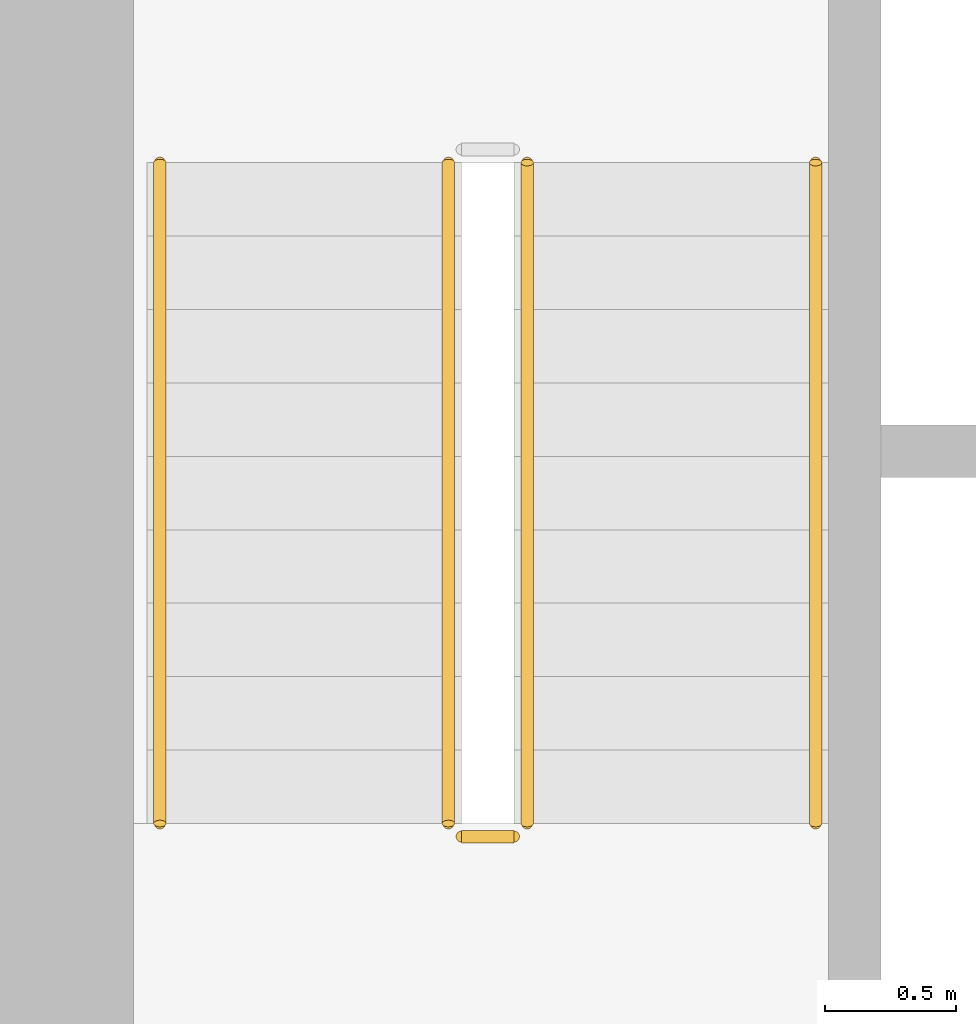
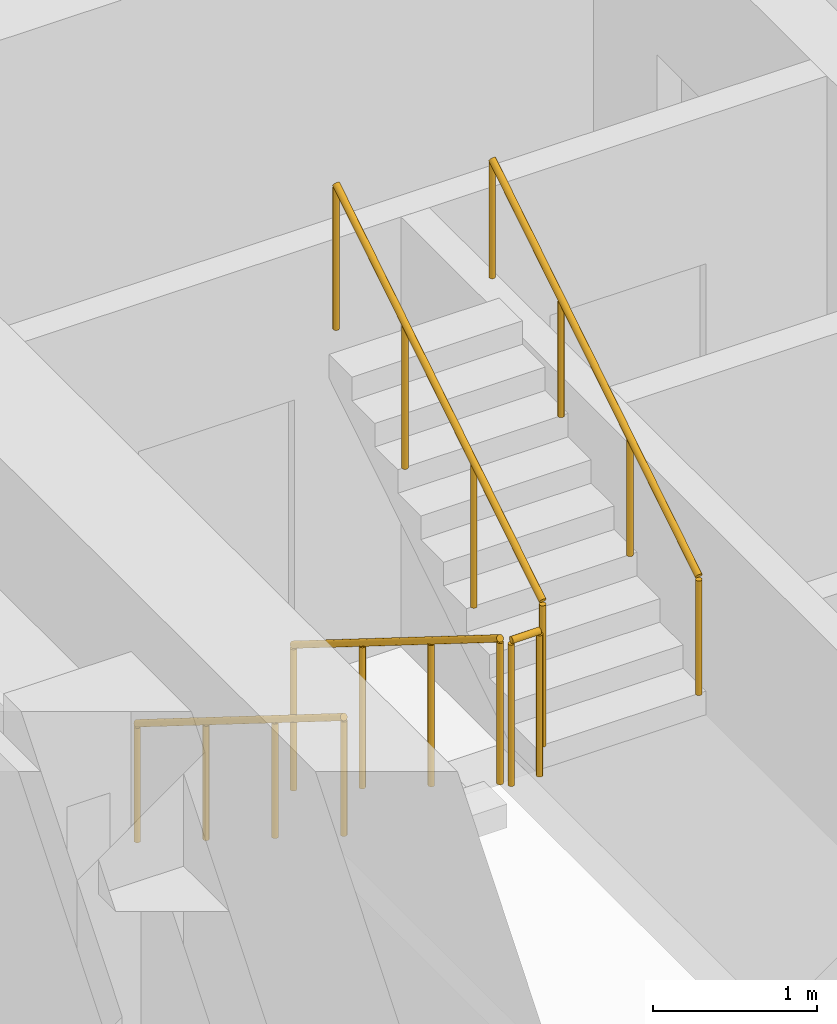
# One storey, part 14 of 21: 5 railings.
"""IFC4 building model written with IfcOpenShell, lengths in metres."""

from ifc_helpers import new_model, si_unit, direction, frame, origin, origin_2d, place, context, subcontext, project, spatial, circle, extrude, material, type_object, element, save


model = new_model("IFC4")

# Units and contexts
model_context = context("Model", 3, precision=1e-05, world=origin(), true_north=direction((0.0, 1.0)))
body_context = subcontext(model_context, "Body", "Model", "MODEL_VIEW")
ifc_project = project(units=[si_unit("LENGTHUNIT", "METRE"), si_unit("AREAUNIT", "SQUARE_METRE"), si_unit("VOLUMEUNIT", "CUBIC_METRE"), si_unit("PLANEANGLEUNIT", "RADIAN"), si_unit("MASSUNIT", "GRAM", prefix="KILO")], contexts=[model_context])

# Site, building, storey
site_placement = place(None, origin())
site = spatial("IfcSite", under=ifc_project, at=site_placement, CompositionType="ELEMENT")
building_placement = place(site_placement, origin())
building = spatial("IfcBuilding", under=site, at=building_placement, Name="Kiln Ring Residences", CompositionType="ELEMENT")
storey_placement = place(building_placement, frame((0.0, 0.0, 195.89990234375)))
storey = spatial("IfcBuildingStorey", under=building, at=storey_placement, Name="L50", CompositionType="ELEMENT", Elevation=195.89990234375)

# Railings
ifc_material_1 = material(Name="Stainless steel", Category="steel")
railing_type_1 = type_object("IfcRailingType", Name="CORE-STAIR-GUARD", PredefinedType="GUARDRAIL", material=ifc_material_1)
railing_1_placement = place(storey_placement, frame((-22.25, 8.39990234375, 0.175048828125)))
element("IfcRailing", 1, at=railing_1_placement, inside=storey, type_object=railing_type_1, Name="L50 W-STN stair guard 1", PredefinedType="GUARDRAIL", context=body_context, shape_type="SweptSolid", body=[
    extrude(circle(Radius=0.02392578125, at=origin_2d()), frame((0.0, 0.0, 1.076171875), z_axis=(0.0, -0.848007534815, 0.529984170421), x_axis=(1.0, 0.0, 0.0)), (0.0, 0.0, 1.0), 2.9716796875),
    extrude(circle(Radius=0.02099609375, at=origin_2d()), origin(), (0.0, 0.0, 1.0), 1.052001953125),
    extrude(circle(Radius=0.02099609375, at=origin_2d()), frame((0.0, -0.840087890625, 0.52490234375)), (0.0, 0.0, 1.0), 1.052001953125),
    extrude(circle(Radius=0.02099609375, at=origin_2d()), frame((0.0, -1.679931640625, 1.050048828125)), (0.0, 0.0, 1.0), 1.052001953125),
    extrude(circle(Radius=0.02099609375, at=origin_2d()), frame((0.0, -2.52001953125, 1.574951171875)), (0.0, 0.0, 1.0), 1.052001953125),
])
railing_2_placement = place(storey_placement, frame((-22.199951171875, 5.830078125, 1.75)))
element("IfcRailing", 2, at=railing_2_placement, inside=storey, type_object=railing_type_1, Name="L50 W-STN stair guard 2", PredefinedType="GUARDRAIL", context=body_context, shape_type="SweptSolid", body=[
    extrude(circle(Radius=0.02392578125, at=origin_2d()), frame((0.0, 0.0, 1.076171875), z_axis=(1.0, 0.0, 0.0), x_axis=(0.0, 1.0, 0.0)), (0.0, 0.0, 1.0), 0.199951171875),
    extrude(circle(Radius=0.02099609375, at=origin_2d()), origin(), (0.0, 0.0, 1.0), 1.052001953125),
    extrude(circle(Radius=0.02099609375, at=origin_2d()), frame((0.199951171875, 0.0, 0.0)), (0.0, 0.0, 1.0), 1.052001953125),
])
railing_3_placement = place(storey_placement, frame((-21.949951171875, 5.8798828125, 1.925048828125)))
element("IfcRailing", 3, at=railing_3_placement, inside=storey, type_object=railing_type_1, Name="L50 W-STN stair guard 3", PredefinedType="GUARDRAIL", context=body_context, shape_type="SweptSolid", body=[
    extrude(circle(Radius=0.02392578125, at=origin_2d()), frame((0.0, 0.0, 1.076171875), z_axis=(0.0, 0.848007534815, 0.529984170421), x_axis=(-1.0, 0.0, 0.0)), (0.0, 0.0, 1.0), 2.9716796875),
    extrude(circle(Radius=0.02099609375, at=origin_2d()), origin(), (0.0, 0.0, 1.0), 1.052001953125),
    extrude(circle(Radius=0.02099609375, at=origin_2d()), frame((0.0, 0.840087890625, 0.52490234375)), (0.0, 0.0, 1.0), 1.052001953125),
    extrude(circle(Radius=0.02099609375, at=origin_2d()), frame((0.0, 1.679931640625, 1.050048828125)), (0.0, 0.0, 1.0), 1.052001953125),
    extrude(circle(Radius=0.02099609375, at=origin_2d()), frame((0.0, 2.52001953125, 1.574951171875)), (0.0, 0.0, 1.0), 1.052001953125),
])
ifc_material_2 = material(Name="Stainless steel", Category="steel")
railing_type_2 = type_object("IfcRailingType", Name="CORE-STAIR-HANDRAIL", PredefinedType="HANDRAIL", material=ifc_material_2)
railing_4_placement = place(storey_placement, frame((-23.35009765625, 8.39990234375, 0.175048828125)))
element("IfcRailing", 4, at=railing_4_placement, inside=storey, type_object=railing_type_2, Name="L50 W-STN stair handrail 1", PredefinedType="HANDRAIL", context=body_context, shape_type="SweptSolid", body=[
    extrude(circle(Radius=0.02392578125, at=origin_2d()), frame((0.0, 0.0, 0.8759765625), z_axis=(0.0, -0.848007534815, 0.529984170421), x_axis=(1.0, 0.0, 0.0)), (0.0, 0.0, 1.0), 2.9716796875),
    extrude(circle(Radius=0.02099609375, at=origin_2d()), origin(), (0.0, 0.0, 1.0), 0.851806640625),
    extrude(circle(Radius=0.02099609375, at=origin_2d()), frame((0.0, -0.840087890625, 0.52490234375)), (0.0, 0.0, 1.0), 0.851806640625),
    extrude(circle(Radius=0.02099609375, at=origin_2d()), frame((0.0, -1.679931640625, 1.050048828125)), (0.0, 0.0, 1.0), 0.851806640625),
    extrude(circle(Radius=0.02099609375, at=origin_2d()), frame((0.0, -2.52001953125, 1.574951171875)), (0.0, 0.0, 1.0), 0.851806640625),
])
railing_5_placement = place(storey_placement, frame((-20.85009765625, 5.8798828125, 1.925048828125)))
element("IfcRailing", 5, at=railing_5_placement, inside=storey, type_object=railing_type_2, Name="L50 W-STN stair handrail 2", PredefinedType="HANDRAIL", context=body_context, shape_type="SweptSolid", body=[
    extrude(circle(Radius=0.02392578125, at=origin_2d()), frame((0.0, 0.0, 0.8759765625), z_axis=(0.0, 0.848007534815, 0.529984170421), x_axis=(-1.0, 0.0, 0.0)), (0.0, 0.0, 1.0), 2.9716796875),
    extrude(circle(Radius=0.02099609375, at=origin_2d()), origin(), (0.0, 0.0, 1.0), 0.851806640625),
    extrude(circle(Radius=0.02099609375, at=origin_2d()), frame((0.0, 0.840087890625, 0.52490234375)), (0.0, 0.0, 1.0), 0.851806640625),
    extrude(circle(Radius=0.02099609375, at=origin_2d()), frame((0.0, 1.679931640625, 1.050048828125)), (0.0, 0.0, 1.0), 0.851806640625),
    extrude(circle(Radius=0.02099609375, at=origin_2d()), frame((0.0, 2.52001953125, 1.574951171875)), (0.0, 0.0, 1.0), 0.851806640625),
])

save(model, "model.ifc")
